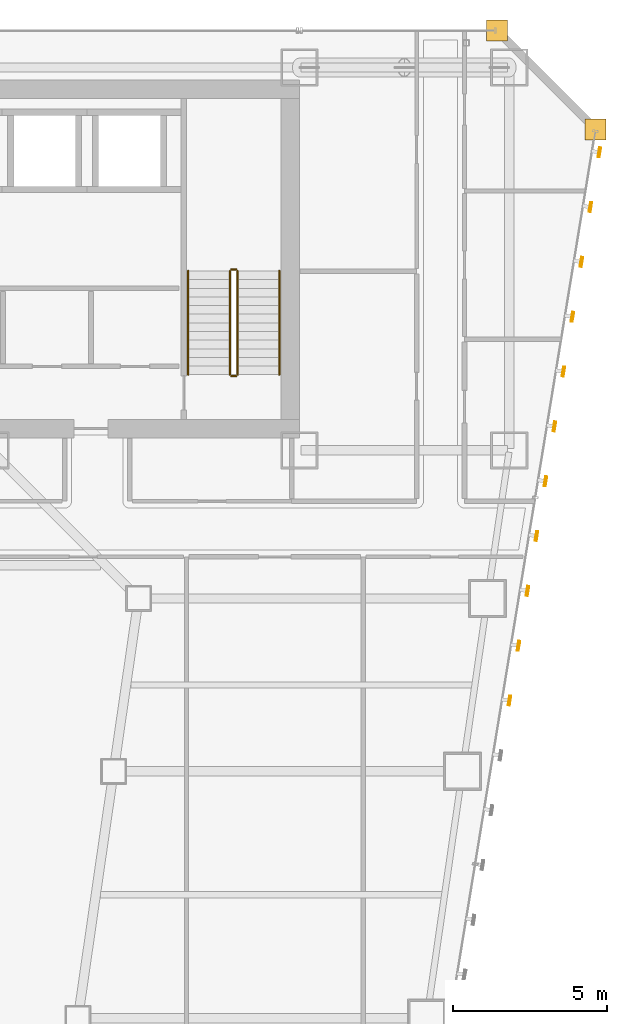
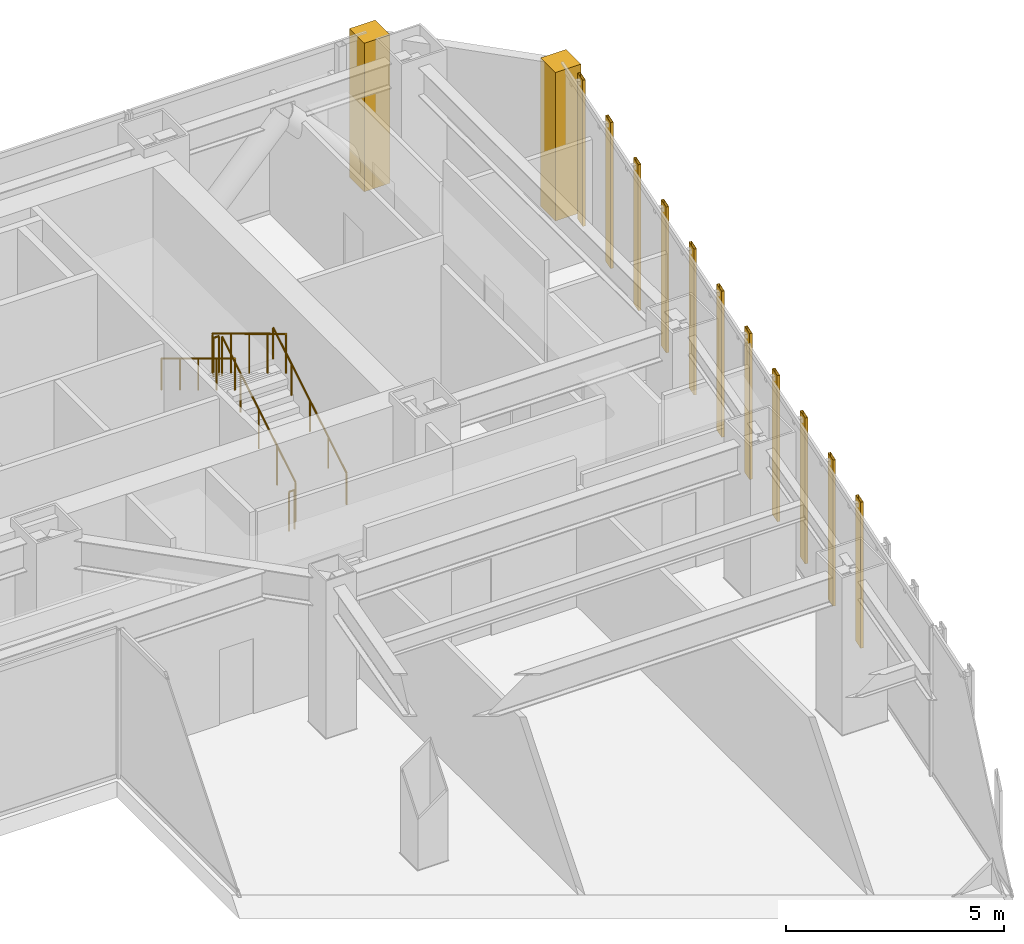
# One storey, part 49 of 49: 11 shading devices, 6 railings, 2 coverings.
"""IFC4 building model written with IfcOpenShell, lengths in metres."""

import ifcopenshell
import ifcopenshell.guid

model = None  # the IFC model being written
_history = None  # IfcOwnerHistory: only IFC2X3 demands one
_inside = {}  # id of a spatial element -> (the spatial element, [elements in it])
_under = {}  # id of a project, library or spatial element -> (it, [spatial elements below it])
_declared = {}  # id of a project -> (the project, [libraries it declares])
_typed = {}  # id of a type object -> (the type object, [elements of that type])
_made_of = {}  # id of a material, layer set ... -> (it, [elements and type objects made of it])


def new_model(schema):
    """Start an empty IFC model of exactly this schema.

    Asked for "IFC4X3", IfcOpenShell would pick the latest addendum, in which some entities
    have other attributes; the version numbers below select the first issue.
    IFC2X3 requires an IfcOwnerHistory on every rooted entity: one is made here for all.
    """
    global model, _history
    if schema == "IFC4X3":
        model = ifcopenshell.file(schema_version=(4, 3, 0, 0))
    else:
        model = ifcopenshell.file(schema=schema)
    _inside.clear()
    _under.clear()
    _declared.clear()
    _typed.clear()
    _made_of.clear()
    _history = None
    if model.schema == "IFC2X3":
        org = make("IfcOrganization", Name="unknown")
        user = make(
            "IfcPersonAndOrganization",
            ThePerson=make("IfcPerson", FamilyName="unknown"),
            TheOrganization=org,
        )
        app = make(
            "IfcApplication",
            ApplicationDeveloper=org,
            Version="unknown",
            ApplicationFullName="unknown",
            ApplicationIdentifier="unknown",
        )
        _history = make(
            "IfcOwnerHistory",
            OwningUser=user,
            OwningApplication=app,
            ChangeAction="ADDED",
            CreationDate=0,
        )
    return model


def make(cls, **values):
    """One entity of the class cls with the attributes given. An attribute that is None is left unset."""
    return model.create_entity(
        cls, **{name: value for name, value in values.items() if value is not None}
    )


def rooted(cls, **values):
    """An entity with a GlobalId (a new one), such as an element, a storey or a relation."""
    return make(cls, GlobalId=ifcopenshell.guid.new(), OwnerHistory=_history, **values)


def si_unit(unit_type, name, prefix=None):
    """IfcSIUnit, for example si_unit("LENGTHUNIT", "METRE", prefix="MILLI")."""
    return make("IfcSIUnit", UnitType=unit_type, Prefix=prefix, Name=name)


def assignment(units):
    """IfcUnitAssignment: the units of a project."""
    return None if units is None else make("IfcUnitAssignment", Units=units)


def point(xyz):
    """IfcCartesianPoint."""
    return None if xyz is None else make("IfcCartesianPoint", Coordinates=xyz)


def direction(xyz):
    """IfcDirection."""
    return None if xyz is None else make("IfcDirection", DirectionRatios=xyz)


def frame(location, z_axis=None, x_axis=None):
    """IfcAxis2Placement3D, a coordinate frame: its origin and axes. An axis left out is left unset."""
    return make(
        "IfcAxis2Placement3D",
        Location=point(location),
        Axis=direction(z_axis),
        RefDirection=direction(x_axis),
    )


def frame_2d(location, x_axis=None):
    """IfcAxis2Placement2D, a coordinate frame in the plane: its origin and x axis."""
    return make(
        "IfcAxis2Placement2D", Location=point(location), RefDirection=direction(x_axis)
    )


def origin():
    """The frame at (0, 0, 0) with its axes left unset."""
    return frame((0.0, 0.0, 0.0))


def origin_2d():
    """The frame at (0, 0) in the plane with its x axis left unset."""
    return frame_2d((0.0, 0.0))


def place(relative_to, where):
    """IfcLocalPlacement: puts the frame where relative to a parent placement (None: the world)."""
    return make(
        "IfcLocalPlacement", PlacementRelTo=relative_to, RelativePlacement=where
    )


def context(
    kind, dimensions, precision=None, world=None, true_north=None, identifier=None
):
    """IfcGeometricRepresentationContext, for example the 3D "Model" context."""
    return make(
        "IfcGeometricRepresentationContext",
        ContextIdentifier=identifier,
        ContextType=kind,
        CoordinateSpaceDimension=dimensions,
        Precision=precision,
        WorldCoordinateSystem=world,
        TrueNorth=true_north,
    )


def subcontext(parent, identifier, kind, view, scale=None):
    """IfcGeometricRepresentationSubContext, for example "Body" below "Model"."""
    return make(
        "IfcGeometricRepresentationSubContext",
        ContextIdentifier=identifier,
        ContextType=kind,
        ParentContext=parent,
        TargetScale=scale,
        TargetView=view,
    )


def project(units=None, contexts=None):
    """IfcProject with its units and contexts."""
    return rooted(
        "IfcProject",
        Name="project",
        RepresentationContexts=contexts,
        UnitsInContext=assignment(units),
    )


def spatial(cls, under=None, at=None, **own):
    """A site, building, storey or space (cls), placed at a placement, below another one or the project."""
    s = rooted(cls, ObjectPlacement=at, **own)
    if under is not None:
        _under.setdefault(under.id(), (under, []))[1].append(s)
    return s


def polyline(points):
    """IfcPolyline through the points."""
    return make("IfcPolyline", Points=[point(p) for p in points])


def profile(cls, at=None, kind="AREA", **sizes):
    """A parametric profile (cls). Its sizes go by their IFC names, for example OverallWidth=200.0."""
    return make(cls, ProfileType=kind, Position=at, **sizes)


def hollow_rectangle(**sizes):
    """IfcRectangleHollowProfileDef."""
    return profile("IfcRectangleHollowProfileDef", **sizes)


def circle(**sizes):
    """IfcCircleProfileDef."""
    return profile("IfcCircleProfileDef", **sizes)


def outline(outer, holes=None, kind="AREA"):
    """IfcArbitraryClosedProfileDef: a profile drawn as a closed curve; with holes, ...WithVoids."""
    if holes is None:
        return make("IfcArbitraryClosedProfileDef", ProfileType=kind, OuterCurve=outer)
    return make(
        "IfcArbitraryProfileDefWithVoids",
        ProfileType=kind,
        OuterCurve=outer,
        InnerCurves=holes,
    )


def extrude(swept, where, along, depth):
    """IfcExtrudedAreaSolid: the profile swept, set in the frame where, extruded along a direction by depth."""
    return make(
        "IfcExtrudedAreaSolid",
        SweptArea=swept,
        Position=where,
        ExtrudedDirection=direction(along),
        Depth=depth,
    )


def shape(context_of_items, identifier, shape_type, items):
    """IfcShapeRepresentation: the items that make up one representation, for example the "Body"."""
    return make(
        "IfcShapeRepresentation",
        ContextOfItems=context_of_items,
        RepresentationIdentifier=identifier,
        RepresentationType=shape_type,
        Items=items,
    )


def material(Name=None, Category=None):
    """IfcMaterial."""
    return make("IfcMaterial", Name=Name, Category=Category)


def layer(
    of_material, thickness, ventilated=None, Name=None, Category=None, Priority=None
):
    """IfcMaterialLayer: one layer of a wall or slab, of a material (None: an air gap)."""
    return make(
        "IfcMaterialLayer",
        Material=of_material,
        LayerThickness=thickness,
        IsVentilated=ventilated,
        Name=Name,
        Category=Category,
        Priority=Priority,
    )


def layer_set(layers, Name=None):
    """IfcMaterialLayerSet."""
    return make("IfcMaterialLayerSet", MaterialLayers=layers, LayerSetName=Name)


def material_profile(
    of_material, cross_section, Name=None, Category=None, Priority=None
):
    """IfcMaterialProfile: a cross section and its material."""
    return make(
        "IfcMaterialProfile",
        Name=Name,
        Material=of_material,
        Profile=cross_section,
        Priority=Priority,
        Category=Category,
    )


def profile_set(profiles, Name=None, composite=None):
    """IfcMaterialProfileSet."""
    return make(
        "IfcMaterialProfileSet",
        Name=Name,
        MaterialProfiles=profiles,
        CompositeProfile=composite,
    )


def made_of(thing, what):
    """Note that an element or type object is made of a material, layer set ...; save() writes the relation."""
    if what is not None:
        _made_of.setdefault(what.id(), (what, []))[1].append(thing)
    return thing


def type_object(cls, material=None, **own):
    """A type object (cls), such as IfcWallType, which elements share."""
    return made_of(rooted(cls, **own), material)


def element(
    cls,
    number,
    at=None,
    inside=None,
    cuts=None,
    type_object=None,
    material=None,
    context=None,
    identifier="Body",
    shape_type=None,
    held_by="IfcProductDefinitionShape",
    body=None,
    shapes=None,
    **own,
):
    """One element of the class cls, such as IfcWall. Its Tag is "e" and its number.

    at: its placement. inside: the storey or other place that contains it. cuts: it is an
    opening in that element (IfcRelVoidsElement). A single representation is given by context,
    identifier, shape_type and body (its items); several are given by shapes. held_by: the class
    of the entity that holds the representations. save() writes the other relations.
    """
    e = rooted(cls, Tag="e%d" % number, ObjectPlacement=at, **own)
    if body is not None:
        shapes = [shape(context, identifier, shape_type, body)]
    if shapes is not None:
        e.Representation = make(held_by, Representations=shapes)
    if inside is not None:
        _inside.setdefault(inside.id(), (inside, []))[1].append(e)
    if cuts is not None:
        rooted(
            "IfcRelVoidsElement", RelatingBuildingElement=cuts, RelatedOpeningElement=e
        )
    if type_object is not None:
        _typed.setdefault(type_object.id(), (type_object, []))[1].append(e)
    return made_of(e, material)


def aggregate(whole, parts):
    """IfcRelAggregates: a whole, such as a stair, and the parts it consists of."""
    return rooted("IfcRelAggregates", RelatingObject=whole, RelatedObjects=parts)


def save(model, path):
    """Write the relations noted so far, then the file.

    IfcRelAggregates (storeys below a building ...), IfcRelContainedInSpatialStructure (elements
    in a storey), IfcRelDefinesByType, IfcRelAssociatesMaterial and IfcRelDeclares: one each for
    every whole, place, type object, material and project.
    """
    for whole, parts in _under.values():
        aggregate(whole, parts)
    for where, things in _inside.values():
        rooted(
            "IfcRelContainedInSpatialStructure",
            RelatedElements=things,
            RelatingStructure=where,
        )
    for kind, things in _typed.values():
        rooted("IfcRelDefinesByType", RelatedObjects=things, RelatingType=kind)
    for what, things in _made_of.values():
        rooted("IfcRelAssociatesMaterial", RelatedObjects=things, RelatingMaterial=what)
    for by, libraries in _declared.values():
        rooted("IfcRelDeclares", RelatingContext=by, RelatedDefinitions=libraries)
    model.write(path)


model = new_model("IFC4")

# Units and contexts
model_context = context("Model", 3, precision=1e-05, world=origin(), true_north=direction((0.0, 1.0)))
body_context = subcontext(model_context, "Body", "Model", "MODEL_VIEW")
ifc_project = project(units=[si_unit("LENGTHUNIT", "METRE"), si_unit("AREAUNIT", "SQUARE_METRE"), si_unit("VOLUMEUNIT", "CUBIC_METRE"), si_unit("PLANEANGLEUNIT", "RADIAN"), si_unit("MASSUNIT", "GRAM", prefix="KILO")], contexts=[model_context])

# Site, building, storey
site_placement = place(None, origin())
site = spatial("IfcSite", under=ifc_project, at=site_placement, CompositionType="ELEMENT")
building_placement = place(site_placement, origin())
building = spatial("IfcBuilding", under=site, at=building_placement, Name="Saevonmaru Cultural Tower", CompositionType="ELEMENT")
storey_placement = place(building_placement, frame((0.0, 0.0, 38.39990234375)))
storey = spatial("IfcBuildingStorey", under=building, at=storey_placement, Name="L07", CompositionType="ELEMENT", Elevation=38.39990234375)

# Coverings
ifc_material_1 = material(Name="Satin Bronze Anodised Aluminium", Category="aluminium")
ifc_layer = layer(ifc_material_1, 0.679931640625, Name="Satin Bronze Anodised Aluminium")
ifc_layer_set = layer_set([ifc_layer], Name="Satin Bronze Anodised Aluminium")
covering_type = type_object("IfcCoveringType", Name="CV-CORNER-CLAD", PredefinedType="CLADDING", material=ifc_layer_set)
covering_1_placement = place(storey_placement, origin())
element("IfcCovering", 1, at=covering_1_placement, inside=storey, type_object=covering_type, Name="L07 Tower Bronze Corner Cladding Pier 9", PredefinedType="CLADDING", context=body_context, shape_type="SweptSolid", body=[
    extrude(outline(polyline([(55.659912109375, 52.4599609375), (56.340087890625, 52.4599609375), (56.340087890625, 53.139892578125), (55.659912109375, 53.139892578125), (55.659912109375, 52.4599609375)])), origin(), (0.0, 0.0, 1.0), 4.150146484375),
])
covering_2_placement = place(storey_placement, origin())
element("IfcCovering", 2, at=covering_2_placement, inside=storey, type_object=covering_type, Name="L07 Tower Bronze Corner Cladding Pier 10", PredefinedType="CLADDING", context=body_context, shape_type="SweptSolid", body=[
    extrude(outline(polyline([(52.4599609375, 55.659912109375), (53.139892578125, 55.659912109375), (53.139892578125, 56.340087890625), (52.4599609375, 56.340087890625), (52.4599609375, 55.659912109375)])), origin(), (0.0, 0.0, 1.0), 4.150146484375),
])

# Railings
ifc_material_2 = material(Name="Architectural Painted Steel", Category="steel")
railing_type_1 = type_object("IfcRailingType", Name="RL-STAIR-GUARD", PredefinedType="GUARDRAIL", material=ifc_material_2)
railing_1_placement = place(storey_placement, frame((44.39990234375, 44.85009765625, 0.16943359375)))
element("IfcRailing", 3, at=railing_1_placement, inside=storey, type_object=railing_type_1, Name="L07 ST-2 stair guard 1", PredefinedType="GUARDRAIL", context=body_context, shape_type="SweptSolid", body=[
    extrude(circle(Radius=0.02392578125, at=origin_2d()), frame((0.0, 0.0, 1.09619140625), z_axis=(0.0, 0.855820338506, 0.51727318527), x_axis=(-1.0, 0.0, 0.0)), (0.0, 0.0, 1.0), 3.92578125),
    extrude(circle(Radius=0.02099609375, at=origin_2d()), origin(), (0.0, 0.0, 1.0), 1.072021484375),
    extrude(circle(Radius=0.02099609375, at=origin_2d()), frame((0.0, 0.83984375, 0.5078125)), (0.0, 0.0, 1.0), 1.072021484375),
    extrude(circle(Radius=0.02099609375, at=origin_2d()), frame((0.0, 1.679931640625, 1.015380859375)), (0.0, 0.0, 1.0), 1.072021484375),
    extrude(circle(Radius=0.02099609375, at=origin_2d()), frame((0.0, 2.52001953125, 1.52294921875)), (0.0, 0.0, 1.0), 1.072021484375),
    extrude(circle(Radius=0.02099609375, at=origin_2d()), frame((0.0, 3.35986328125, 2.03076171875)), (0.0, 0.0, 1.0), 1.072021484375),
])
railing_2_placement = place(storey_placement, frame((44.35009765625, 48.260009765625, 2.2001953125)))
element("IfcRailing", 4, at=railing_2_placement, inside=storey, type_object=railing_type_1, Name="L07 ST-2 stair guard 2", PredefinedType="GUARDRAIL", context=body_context, shape_type="SweptSolid", body=[
    extrude(circle(Radius=0.02392578125, at=origin_2d()), frame((0.0, 0.0, 1.09619140625), z_axis=(-1.0, 0.0, 0.0), x_axis=(0.0, -1.0, 0.0)), (0.0, 0.0, 1.0), 0.150146484375),
    extrude(circle(Radius=0.02099609375, at=origin_2d()), origin(), (0.0, 0.0, 1.0), 1.072021484375),
    extrude(circle(Radius=0.02099609375, at=origin_2d()), frame((-0.150146484375, 0.0, 0.0)), (0.0, 0.0, 1.0), 1.072021484375),
])
railing_3_placement = place(storey_placement, frame((44.14990234375, 48.2099609375, 2.369384765625)))
element("IfcRailing", 5, at=railing_3_placement, inside=storey, type_object=railing_type_1, Name="L07 ST-2 stair guard 3", PredefinedType="GUARDRAIL", context=body_context, shape_type="SweptSolid", body=[
    extrude(circle(Radius=0.02392578125, at=origin_2d()), frame((0.0, 0.0, 1.09619140625), z_axis=(0.0, -0.855820338506, 0.51727318527), x_axis=(1.0, 0.0, 0.0)), (0.0, 0.0, 1.0), 3.92578125),
    extrude(circle(Radius=0.02099609375, at=origin_2d()), origin(), (0.0, 0.0, 1.0), 1.072021484375),
    extrude(circle(Radius=0.02099609375, at=origin_2d()), frame((0.0, -0.83984375, 0.5078125)), (0.0, 0.0, 1.0), 1.072021484375),
    extrude(circle(Radius=0.02099609375, at=origin_2d()), frame((0.0, -1.679931640625, 1.015380859375)), (0.0, 0.0, 1.0), 1.072021484375),
    extrude(circle(Radius=0.02099609375, at=origin_2d()), frame((0.0, -2.52001953125, 1.52294921875)), (0.0, 0.0, 1.0), 1.072021484375),
    extrude(circle(Radius=0.02099609375, at=origin_2d()), frame((0.0, -3.35986328125, 2.03076171875)), (0.0, 0.0, 1.0), 1.072021484375),
])
railing_4_placement = place(storey_placement, frame((44.35009765625, 44.800048828125, 0.0)))
element("IfcRailing", 6, at=railing_4_placement, inside=storey, type_object=railing_type_1, Name="L07 ST-2 stair guard 4", PredefinedType="GUARDRAIL", context=body_context, shape_type="SweptSolid", body=[
    extrude(circle(Radius=0.02392578125, at=origin_2d()), frame((0.0, 0.0, 1.09619140625), z_axis=(-1.0, 0.0, 0.0), x_axis=(0.0, -1.0, 0.0)), (0.0, 0.0, 1.0), 0.150146484375),
    extrude(circle(Radius=0.02099609375, at=origin_2d()), origin(), (0.0, 0.0, 1.0), 1.072021484375),
    extrude(circle(Radius=0.02099609375, at=origin_2d()), frame((-0.150146484375, 0.0, 0.0)), (0.0, 0.0, 1.0), 1.072021484375),
])
railing_type_2 = type_object("IfcRailingType", Name="RL-STAIR-HANDRAIL", PredefinedType="HANDRAIL", material=ifc_material_1)
railing_5_placement = place(storey_placement, frame((45.75, 44.85009765625, 0.16943359375)))
element("IfcRailing", 7, at=railing_5_placement, inside=storey, type_object=railing_type_2, Name="L07 ST-2 stair handrail 1", PredefinedType="HANDRAIL", context=body_context, shape_type="SweptSolid", body=[
    extrude(circle(Radius=0.02392578125, at=origin_2d()), frame((0.0, 0.0, 0.8759765625), z_axis=(0.0, 0.855820338506, 0.51727318527), x_axis=(-1.0, 0.0, 0.0)), (0.0, 0.0, 1.0), 3.92578125),
    extrude(circle(Radius=0.02099609375, at=origin_2d()), origin(), (0.0, 0.0, 1.0), 0.851806640625),
    extrude(circle(Radius=0.02099609375, at=origin_2d()), frame((0.0, 0.83984375, 0.5078125)), (0.0, 0.0, 1.0), 0.851806640625),
    extrude(circle(Radius=0.02099609375, at=origin_2d()), frame((0.0, 1.679931640625, 1.015380859375)), (0.0, 0.0, 1.0), 0.851806640625),
    extrude(circle(Radius=0.02099609375, at=origin_2d()), frame((0.0, 2.52001953125, 1.52294921875)), (0.0, 0.0, 1.0), 0.851806640625),
    extrude(circle(Radius=0.02099609375, at=origin_2d()), frame((0.0, 3.35986328125, 2.03076171875)), (0.0, 0.0, 1.0), 0.851806640625),
])
railing_6_placement = place(storey_placement, frame((42.800048828125, 48.2099609375, 2.369384765625)))
element("IfcRailing", 8, at=railing_6_placement, inside=storey, type_object=railing_type_2, Name="L07 ST-2 stair handrail 2", PredefinedType="HANDRAIL", context=body_context, shape_type="SweptSolid", body=[
    extrude(circle(Radius=0.02392578125, at=origin_2d()), frame((0.0, 0.0, 0.8759765625), z_axis=(0.0, -0.855820338506, 0.51727318527), x_axis=(1.0, 0.0, 0.0)), (0.0, 0.0, 1.0), 3.92578125),
    extrude(circle(Radius=0.02099609375, at=origin_2d()), origin(), (0.0, 0.0, 1.0), 0.851806640625),
    extrude(circle(Radius=0.02099609375, at=origin_2d()), frame((0.0, -0.83984375, 0.5078125)), (0.0, 0.0, 1.0), 0.851806640625),
    extrude(circle(Radius=0.02099609375, at=origin_2d()), frame((0.0, -1.679931640625, 1.015380859375)), (0.0, 0.0, 1.0), 0.851806640625),
    extrude(circle(Radius=0.02099609375, at=origin_2d()), frame((0.0, -2.52001953125, 1.52294921875)), (0.0, 0.0, 1.0), 0.851806640625),
    extrude(circle(Radius=0.02099609375, at=origin_2d()), frame((0.0, -3.35986328125, 2.03076171875)), (0.0, 0.0, 1.0), 0.851806640625),
])

# Shading devices
ifc_material_profile = material_profile(ifc_material_1, hollow_rectangle(XDim=0.070068359375, YDim=0.320068359375, WallThickness=0.0048828125, at=origin_2d()), Name="FIN-320x70")
ifc_profile_set = profile_set([ifc_material_profile], Name="Satin Bronze Anodised Aluminium")
shading_device_type = type_object("IfcShadingDeviceType", Name="SHD-FIN-320", PredefinedType="JALOUSIE", material=ifc_profile_set)
for number, where, z_axis, x_axis, name in (
    (9, (53.210205078125, 34.2900390625, 0.050048828125), (0.0, 0.0, 1.0), (0.986827496189, -0.161776057456, 0.0), "L07 Art Deco Sawtooth Bronze Fin E8-17"),
    (10, (53.501220703125, 36.06640625, 0.050048828125), (0.0, 0.0, 1.0), (0.986827496189, -0.161776057456, 0.0), "L07 Art Deco Sawtooth Bronze Fin E8-18"),
    (11, (53.792236328125, 37.8427734375, 0.050048828125), (0.0, 0.0, 1.0), (0.986827496189, -0.161776057456, 0.0), "L07 Art Deco Sawtooth Bronze Fin E8-19"),
    (12, (54.083251953125, 39.618896484375, 0.050048828125), (0.0, 0.0, 1.0), (0.986827496189, -0.161776057456, 0.0), "L07 Art Deco Sawtooth Bronze Fin E8-20"),
    (13, (54.37451171875, 41.3955078125, 0.050048828125), (0.0, 0.0, 1.0), (0.986827496189, -0.161776057456, 0.0), "L07 Art Deco Sawtooth Bronze Fin E8-21"),
    (14, (54.665283203125, 43.171630859375, 0.050048828125), (0.0, 0.0, 1.0), (0.986827496189, -0.161776057456, 0.0), "L07 Art Deco Sawtooth Bronze Fin E8-22"),
    (15, (54.95654296875, 44.947998046875, 0.050048828125), (0.0, 0.0, 1.0), (0.986827496189, -0.161776057456, 0.0), "L07 Art Deco Sawtooth Bronze Fin E8-23"),
    (16, (55.24755859375, 46.724365234375, 0.050048828125), (0.0, 0.0, 1.0), (0.986827496189, -0.161776057456, 0.0), "L07 Art Deco Sawtooth Bronze Fin E8-24"),
    (17, (55.538818359375, 48.50048828125, 0.050048828125), (0.0, 0.0, 1.0), (0.986827496189, -0.161776057456, 0.0), "L07 Art Deco Sawtooth Bronze Fin E8-25"),
    (18, (55.829833984375, 50.27685546875, 0.050048828125), (0.0, 0.0, 1.0), (0.986827496189, -0.161776057456, 0.0), "L07 Art Deco Sawtooth Bronze Fin E8-26"),
    (19, (56.120849609375, 52.05322265625, 0.050048828125), (0.0, 0.0, 1.0), (0.986827496189, -0.161776057456, 0.0), "L07 Art Deco Sawtooth Bronze Fin E8-27"),
):
    element("IfcShadingDevice", number, at=place(storey_placement, frame(where, z_axis=z_axis, x_axis=x_axis)), inside=storey, type_object=shading_device_type, Name=name, PredefinedType="JALOUSIE", context=body_context, shape_type="SweptSolid", body=[
        extrude(hollow_rectangle(XDim=0.070068359375, YDim=0.320068359375, WallThickness=0.0048828125, at=origin_2d()), origin(), (0.0, 0.0, 1.0), 4.080078125),
    ])

save(model, "model.ifc")
